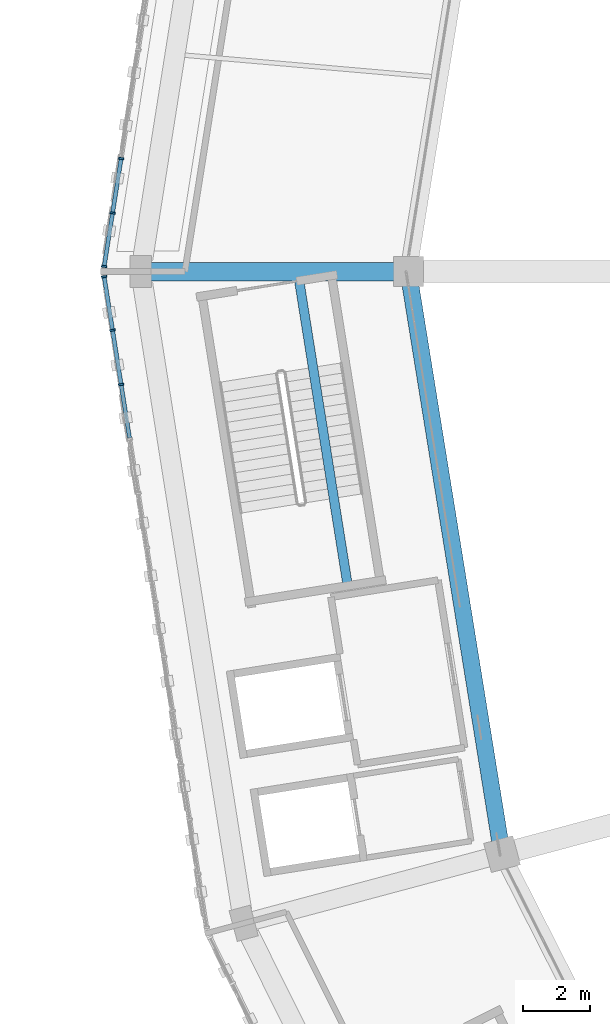
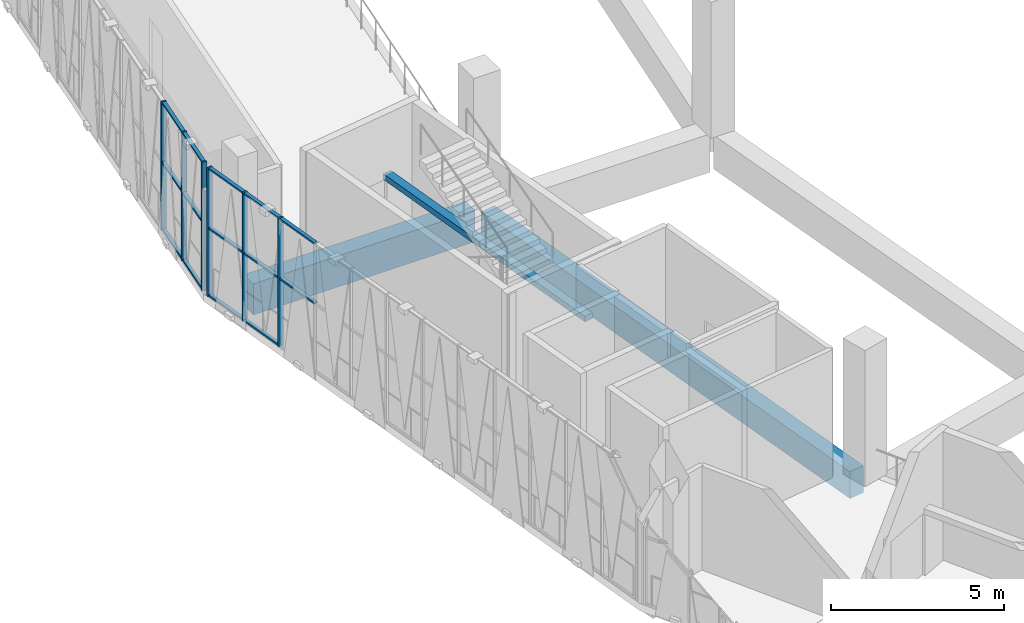
# One storey, part 13 of 108: 20 members, 3 beams, 2 elements without a shape of their own.
"""IFC4 building model written with IfcOpenShell, lengths in metres."""

from ifc_helpers import new_model, si_unit, direction, frame, origin, origin_2d, place, context, subcontext, project, spatial, rectangle, extrude, material, material_profile, profile_set, type_object, element, aggregate, save


model = new_model("IFC4")

# Units and contexts
model_context = context("Model", 3, precision=1e-05, world=origin(), true_north=direction((0.0, 1.0)))
body_context = subcontext(model_context, "Body", "Model", "MODEL_VIEW")
ifc_project = project(units=[si_unit("LENGTHUNIT", "METRE"), si_unit("AREAUNIT", "SQUARE_METRE"), si_unit("VOLUMEUNIT", "CUBIC_METRE"), si_unit("PLANEANGLEUNIT", "RADIAN"), si_unit("MASSUNIT", "GRAM", prefix="KILO")], contexts=[model_context])

# Site, building, storey
site_placement = place(None, origin())
site = spatial("IfcSite", under=ifc_project, at=site_placement, CompositionType="ELEMENT")
building_placement = place(site_placement, origin())
building = spatial("IfcBuilding", under=site, at=building_placement, Name="Zevraka Park Crest Stadium", CompositionType="ELEMENT")
storey_placement = place(building_placement, frame((0.0, 0.0, 19.800048828125)))
storey = spatial("IfcBuildingStorey", under=building, at=storey_placement, Name="L04", CompositionType="ELEMENT", Elevation=19.800048828125)

# Beam
ifc_material_1 = material(Name="Concrete C40/50", Category="concrete")
ifc_material_profile_1 = material_profile(ifc_material_1, rectangle(XDim=0.550048828125, YDim=1.10009765625, at=origin_2d()), Name="RC 1100x550")
ifc_profile_set_1 = profile_set([ifc_material_profile_1], Name="Concrete C40/50")
beam_type_1 = type_object("IfcBeamType", Name="BG02", PredefinedType="BEAM", material=ifc_profile_set_1)
beam_1_placement = place(storey_placement, frame((29.39990234375, 92.0, -0.56005859375), z_axis=(-1.0, 0.0, 0.0), x_axis=(0.0, -1.0, 0.0)))
element("IfcBeam", 1, at=beam_1_placement, inside=storey, type_object=beam_type_1, Name="Radial Girder BG02 L04-CD-12", PredefinedType="BEAM", context=body_context, shape_type="SweptSolid", body=[
    extrude(rectangle(XDim=0.550048828125, YDim=1.10009765625, at=origin_2d()), origin(), (0.0, 0.0, 1.0), 7.39990234375),
])

# Curtain wall, members
ifc_material_2 = material(Name="Anodised architectural aluminium and laminated safety glass", Category="aluminium")
curtain_wall_type = type_object("IfcCurtainWallType", Name="CW16", PredefinedType="NOTDEFINED", material=ifc_material_2)
curtain_wall_1_placement = place(storey_placement, origin())
curtain_wall_1 = element("IfcCurtainWall", 2, at=curtain_wall_1_placement, inside=storey, type_object=curtain_wall_type, Name="Unitised Ring Curtain Wall CW16 L04-11", PredefinedType="NOTDEFINED")
ifc_material_3 = material(Name="Anodised architectural aluminium", Category="aluminium")
ifc_material_profile_2 = material_profile(ifc_material_3, rectangle(XDim=0.159912109375, YDim=0.06005859375, at=origin_2d()), Name="ALU MULLION 160x60")
ifc_profile_set_2 = profile_set([ifc_material_profile_2], Name="Anodised architectural aluminium")
member_type_1 = type_object("IfcMemberType", Name="CM01", PredefinedType="MULLION", material=ifc_profile_set_2)
member_1_placement = place(storey_placement, frame((21.11328125, 95.3798828125, 0.0), z_axis=(0.0, 0.0, 1.0), x_axis=(0.987829746281, -0.155539038066, 0.0)))
member_1 = element("IfcMember", 3, at=member_1_placement, type_object=member_type_1, Name="CW16 mullion 11", PredefinedType="MULLION", context=body_context, shape_type="SweptSolid", body=[
    extrude(rectangle(XDim=0.159912109375, YDim=0.06005859375, at=origin_2d()), origin(), (0.0, 0.0, 1.0), 4.5400390625),
])
member_2_placement = place(storey_placement, frame((20.857177734375, 93.7529296875, 0.0), z_axis=(0.0, 0.0, 1.0), x_axis=(0.987829746281, -0.155539038066, 0.0)))
member_2 = element("IfcMember", 4, at=member_2_placement, type_object=member_type_1, Name="CW16 mullion 12", PredefinedType="MULLION", context=body_context, shape_type="SweptSolid", body=[
    extrude(rectangle(XDim=0.159912109375, YDim=0.06005859375, at=origin_2d()), origin(), (0.0, 0.0, 1.0), 4.5400390625),
])
member_3_placement = place(storey_placement, frame((20.605712890625, 92.155517578125, 0.0), z_axis=(0.0, 0.0, 1.0), x_axis=(0.987829746281, -0.155539038066, 0.0)))
member_3 = element("IfcMember", 5, at=member_3_placement, type_object=member_type_1, Name="CW16 mullion 13", PredefinedType="MULLION", context=body_context, shape_type="SweptSolid", body=[
    extrude(rectangle(XDim=0.159912109375, YDim=0.06005859375, at=origin_2d()), origin(), (0.0, 0.0, 1.0), 4.5400390625),
])

curtain_wall_2_placement = place(storey_placement, origin())
curtain_wall_2 = element("IfcCurtainWall", 6, at=curtain_wall_2_placement, inside=storey, type_object=curtain_wall_type, Name="Unitised Ring Curtain Wall CW16 L04-12", PredefinedType="NOTDEFINED")
member_4_placement = place(storey_placement, frame((20.605712890625, 91.844482421875, 0.0), z_axis=(0.0, 0.0, 1.0), x_axis=(0.987829746281, 0.155539038066, 0.0)))
member_4 = element("IfcMember", 7, at=member_4_placement, type_object=member_type_1, Name="CW16 mullion 1", PredefinedType="MULLION", context=body_context, shape_type="SweptSolid", body=[
    extrude(rectangle(XDim=0.159912109375, YDim=0.06005859375, at=origin_2d()), origin(), (0.0, 0.0, 1.0), 4.5400390625),
])
member_5_placement = place(storey_placement, frame((20.857177734375, 90.2470703125, 0.0), z_axis=(0.0, 0.0, 1.0), x_axis=(0.987829746281, 0.155539038066, 0.0)))
member_5 = element("IfcMember", 8, at=member_5_placement, type_object=member_type_1, Name="CW16 mullion 2", PredefinedType="MULLION", context=body_context, shape_type="SweptSolid", body=[
    extrude(rectangle(XDim=0.159912109375, YDim=0.06005859375, at=origin_2d()), origin(), (0.0, 0.0, 1.0), 4.5400390625),
])
member_6_placement = place(storey_placement, frame((21.11328125, 88.6201171875, 0.0), z_axis=(0.0, 0.0, 1.0), x_axis=(0.987829746281, 0.155539038066, 0.0)))
member_6 = element("IfcMember", 9, at=member_6_placement, type_object=member_type_1, Name="CW16 mullion 3", PredefinedType="MULLION", context=body_context, shape_type="SweptSolid", body=[
    extrude(rectangle(XDim=0.159912109375, YDim=0.06005859375, at=origin_2d()), origin(), (0.0, 0.0, 1.0), 4.5400390625),
])

# Member
ifc_material_4 = material(Name="Anodised architectural aluminium", Category="aluminium")
ifc_material_profile_3 = material_profile(ifc_material_4, rectangle(XDim=0.1201171875, YDim=0.06005859375, at=origin_2d()), Name="ALU TRANSOM 120x60")
ifc_profile_set_3 = profile_set([ifc_material_profile_3], Name="Anodised architectural aluminium")
member_type_2 = type_object("IfcMemberType", Name="CT01", PredefinedType="USERDEFINED", material=ifc_profile_set_3)
member_7_placement = place(storey_placement, frame((21.108642578125, 95.35009765625, 0.030029296875), z_axis=(-0.155535954577, -0.987830231788, 0.0), x_axis=(0.987830231788, -0.155535954577, 0.0)))
member_7 = element("IfcMember", 10, at=member_7_placement, type_object=member_type_2, Name="CW16 transom 11.1", ObjectType="TRANSOM", PredefinedType="USERDEFINED", context=body_context, shape_type="SweptSolid", body=[
    extrude(rectangle(XDim=0.1201171875, YDim=0.06005859375, at=origin_2d()), origin(), (0.0, 0.0, 1.0), 1.5869140625),
])

member_8_placement = place(storey_placement, frame((21.108642578125, 95.35009765625, 2.39990234375), z_axis=(-0.155535954577, -0.987830231788, 0.0), x_axis=(0.987830231788, -0.155535954577, 0.0)))
member_8 = element("IfcMember", 11, at=member_8_placement, type_object=member_type_2, Name="CW16 transom 11.2", ObjectType="TRANSOM", PredefinedType="USERDEFINED", context=body_context, shape_type="SweptSolid", body=[
    extrude(rectangle(XDim=0.1201171875, YDim=0.06005859375, at=origin_2d()), origin(), (0.0, 0.0, 1.0), 1.5869140625),
])

member_9_placement = place(storey_placement, frame((21.108642578125, 95.35009765625, 4.510009765625), z_axis=(-0.155535954577, -0.987830231788, 0.0), x_axis=(0.987830231788, -0.155535954577, 0.0)))
member_9 = element("IfcMember", 12, at=member_9_placement, type_object=member_type_2, Name="CW16 transom 11.3", ObjectType="TRANSOM", PredefinedType="USERDEFINED", context=body_context, shape_type="SweptSolid", body=[
    extrude(rectangle(XDim=0.1201171875, YDim=0.06005859375, at=origin_2d()), origin(), (0.0, 0.0, 1.0), 1.5869140625),
])

member_10_placement = place(storey_placement, frame((20.8525390625, 93.723388671875, 0.030029296875), z_axis=(-0.155543865752, -0.987828986124, 0.0), x_axis=(0.987828986124, -0.155543865752, 0.0)))
member_10 = element("IfcMember", 13, at=member_10_placement, type_object=member_type_2, Name="CW16 transom 12.1", ObjectType="TRANSOM", PredefinedType="USERDEFINED", context=body_context, shape_type="SweptSolid", body=[
    extrude(rectangle(XDim=0.1201171875, YDim=0.06005859375, at=origin_2d()), origin(), (0.0, 0.0, 1.0), 1.55712890625),
])

member_11_placement = place(storey_placement, frame((20.8525390625, 93.723388671875, 2.39990234375), z_axis=(-0.155543865752, -0.987828986124, 0.0), x_axis=(0.987828986124, -0.155543865752, 0.0)))
member_11 = element("IfcMember", 14, at=member_11_placement, type_object=member_type_2, Name="CW16 transom 12.2", ObjectType="TRANSOM", PredefinedType="USERDEFINED", context=body_context, shape_type="SweptSolid", body=[
    extrude(rectangle(XDim=0.1201171875, YDim=0.06005859375, at=origin_2d()), origin(), (0.0, 0.0, 1.0), 1.55712890625),
])

member_12_placement = place(storey_placement, frame((20.8525390625, 93.723388671875, 4.510009765625), z_axis=(-0.155543865752, -0.987828986124, 0.0), x_axis=(0.987828986124, -0.155543865752, 0.0)))
member_12 = element("IfcMember", 15, at=member_12_placement, type_object=member_type_2, Name="CW16 transom 12.3", ObjectType="TRANSOM", PredefinedType="USERDEFINED", context=body_context, shape_type="SweptSolid", body=[
    extrude(rectangle(XDim=0.1201171875, YDim=0.06005859375, at=origin_2d()), origin(), (0.0, 0.0, 1.0), 1.55712890625),
])

aggregate(curtain_wall_1, [member_1, member_2, member_3, member_7, member_8, member_9, member_10, member_11, member_12])

member_13_placement = place(storey_placement, frame((20.6103515625, 91.814697265625, 0.030029296875), z_axis=(0.155543865752, -0.987828986124, 0.0), x_axis=(0.987828986124, 0.155543865752, 0.0)))
member_13 = element("IfcMember", 16, at=member_13_placement, type_object=member_type_2, Name="CW16 transom 1.1", ObjectType="TRANSOM", PredefinedType="USERDEFINED", context=body_context, shape_type="SweptSolid", body=[
    extrude(rectangle(XDim=0.1201171875, YDim=0.06005859375, at=origin_2d()), origin(), (0.0, 0.0, 1.0), 1.55712890625),
])

member_14_placement = place(storey_placement, frame((20.6103515625, 91.814697265625, 2.39990234375), z_axis=(0.155543865752, -0.987828986124, 0.0), x_axis=(0.987828986124, 0.155543865752, 0.0)))
member_14 = element("IfcMember", 17, at=member_14_placement, type_object=member_type_2, Name="CW16 transom 1.2", ObjectType="TRANSOM", PredefinedType="USERDEFINED", context=body_context, shape_type="SweptSolid", body=[
    extrude(rectangle(XDim=0.1201171875, YDim=0.06005859375, at=origin_2d()), origin(), (0.0, 0.0, 1.0), 1.55712890625),
])

member_15_placement = place(storey_placement, frame((20.6103515625, 91.814697265625, 4.510009765625), z_axis=(0.155543865752, -0.987828986124, 0.0), x_axis=(0.987828986124, 0.155543865752, 0.0)))
member_15 = element("IfcMember", 18, at=member_15_placement, type_object=member_type_2, Name="CW16 transom 1.3", ObjectType="TRANSOM", PredefinedType="USERDEFINED", context=body_context, shape_type="SweptSolid", body=[
    extrude(rectangle(XDim=0.1201171875, YDim=0.06005859375, at=origin_2d()), origin(), (0.0, 0.0, 1.0), 1.55712890625),
])

member_16_placement = place(storey_placement, frame((20.86181640625, 90.217529296875, 0.030029296875), z_axis=(0.155535954577, -0.987830231788, 0.0), x_axis=(0.987830231788, 0.155535954577, 0.0)))
member_16 = element("IfcMember", 19, at=member_16_placement, type_object=member_type_2, Name="CW16 transom 2.1", ObjectType="TRANSOM", PredefinedType="USERDEFINED", context=body_context, shape_type="SweptSolid", body=[
    extrude(rectangle(XDim=0.1201171875, YDim=0.06005859375, at=origin_2d()), origin(), (0.0, 0.0, 1.0), 1.5869140625),
])

member_17_placement = place(storey_placement, frame((20.86181640625, 90.217529296875, 2.39990234375), z_axis=(0.155535954577, -0.987830231788, 0.0), x_axis=(0.987830231788, 0.155535954577, 0.0)))
member_17 = element("IfcMember", 20, at=member_17_placement, type_object=member_type_2, Name="CW16 transom 2.2", ObjectType="TRANSOM", PredefinedType="USERDEFINED", context=body_context, shape_type="SweptSolid", body=[
    extrude(rectangle(XDim=0.1201171875, YDim=0.06005859375, at=origin_2d()), origin(), (0.0, 0.0, 1.0), 1.5869140625),
])

member_18_placement = place(storey_placement, frame((20.86181640625, 90.217529296875, 4.510009765625), z_axis=(0.155535954577, -0.987830231788, 0.0), x_axis=(0.987830231788, 0.155535954577, 0.0)))
member_18 = element("IfcMember", 21, at=member_18_placement, type_object=member_type_2, Name="CW16 transom 2.3", ObjectType="TRANSOM", PredefinedType="USERDEFINED", context=body_context, shape_type="SweptSolid", body=[
    extrude(rectangle(XDim=0.1201171875, YDim=0.06005859375, at=origin_2d()), origin(), (0.0, 0.0, 1.0), 1.5869140625),
])

member_19_placement = place(storey_placement, frame((21.117919921875, 88.590576171875, 2.39990234375), z_axis=(0.155535954577, -0.987830231788, 0.0), x_axis=(0.987830231788, 0.155535954577, 0.0)))
member_19 = element("IfcMember", 22, at=member_19_placement, type_object=member_type_2, Name="CW16 transom 3.2", ObjectType="TRANSOM", PredefinedType="USERDEFINED", context=body_context, shape_type="SweptSolid", body=[
    extrude(rectangle(XDim=0.1201171875, YDim=0.06005859375, at=origin_2d()), origin(), (0.0, 0.0, 1.0), 1.5869140625),
])

member_20_placement = place(storey_placement, frame((21.117919921875, 88.590576171875, 4.510009765625), z_axis=(0.155535954577, -0.987830231788, 0.0), x_axis=(0.987830231788, 0.155535954577, 0.0)))
member_20 = element("IfcMember", 23, at=member_20_placement, type_object=member_type_2, Name="CW16 transom 3.3", ObjectType="TRANSOM", PredefinedType="USERDEFINED", context=body_context, shape_type="SweptSolid", body=[
    extrude(rectangle(XDim=0.1201171875, YDim=0.06005859375, at=origin_2d()), origin(), (0.0, 0.0, 1.0), 1.5869140625),
])

aggregate(curtain_wall_2, [member_4, member_5, member_6, member_13, member_14, member_15, member_16, member_17, member_18, member_19, member_20])

# Beams
ifc_material_5 = material(Name="Concrete C40/50", Category="concrete")
ifc_material_profile_4 = material_profile(ifc_material_5, rectangle(XDim=0.5, YDim=0.949951171875, at=origin_2d()), Name="RC 950x500")
ifc_profile_set_4 = profile_set([ifc_material_profile_4], Name="Concrete C40/50")
beam_type_2 = type_object("IfcBeamType", Name="RB02", PredefinedType="BEAM", material=ifc_profile_set_4)
beam_2_placement = place(storey_placement, frame((29.760009765625, 91.625, -0.485107421875), z_axis=(0.158975112778, -0.987282590507, 0.0), x_axis=(0.987282590507, 0.158975112778, 0.0)))
element("IfcBeam", 24, at=beam_2_placement, inside=storey, type_object=beam_type_2, Name="Ring Beam RB02 L04-C-12", PredefinedType="BEAM", context=body_context, shape_type="SweptSolid", body=[
    extrude(rectangle(XDim=0.5, YDim=0.949951171875, at=origin_2d()), origin(), (0.0, 0.0, 1.0), 16.883544921875),
])
ifc_material_6 = material(Name="Concrete C40/50", Category="concrete")
ifc_material_profile_5 = material_profile(ifc_material_6, rectangle(XDim=0.280029296875, YDim=0.199951171875, at=origin_2d()), Name="RC 200x280")
ifc_profile_set_5 = profile_set([ifc_material_profile_5], Name="Concrete C40/50")
beam_type_3 = type_object("IfcBeamType", Name="SJ13", PredefinedType="JOIST", material=ifc_profile_set_5)
beam_3_placement = place(storey_placement, frame((26.440673828125, 91.70263671875, 2.300048828125), z_axis=(0.157251361722, -0.987558610532, 0.0), x_axis=(0.987558610532, 0.157251361722, 0.0)))
element("IfcBeam", 25, at=beam_3_placement, inside=storey, type_object=beam_type_3, Name="Stair Upper-Flight Longitudinal Stringer SJ13 ST13-L04", PredefinedType="JOIST", context=body_context, shape_type="SweptSolid", body=[
    extrude(rectangle(XDim=0.280029296875, YDim=0.199951171875, at=origin_2d()), origin(), (0.0, 0.0, 1.0), 9.25),
])

save(model, "model.ifc")
